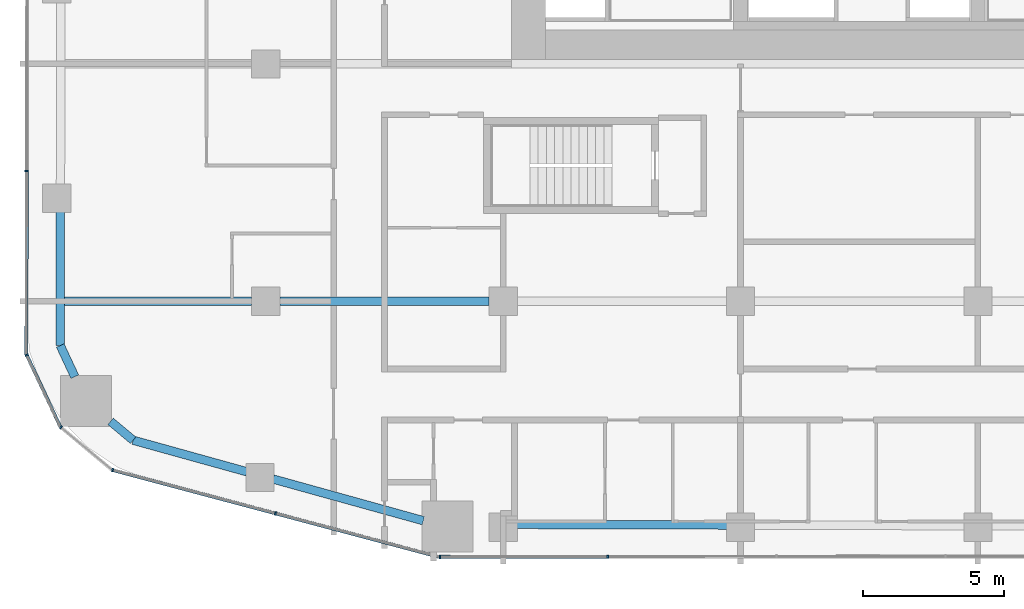
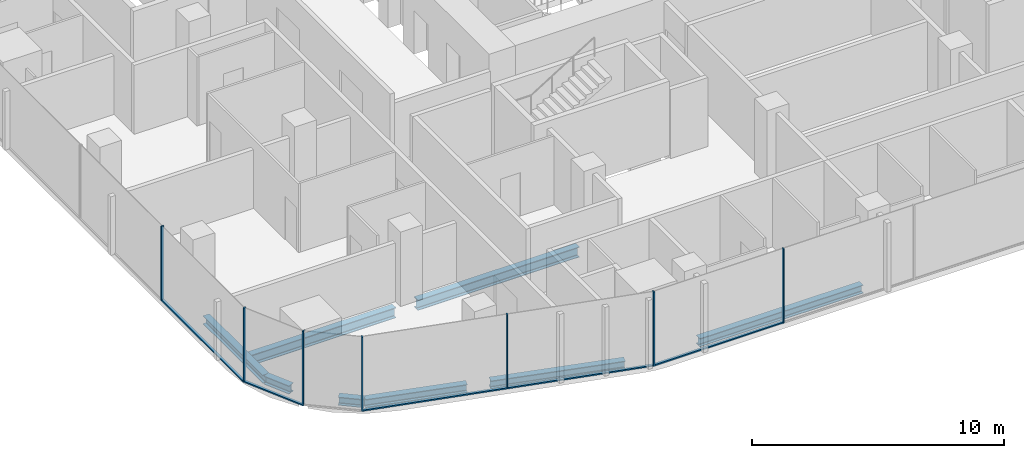
# One storey, part 2 of 25: 12 members, 8 beams, 5 elements without a shape of their own.
"""IFC4 building model written with IfcOpenShell, lengths in metres."""

from ifc_helpers import new_model, si_unit, direction, frame, origin, origin_2d, place, context, subcontext, project, spatial, rectangle, i_section, extrude, material, layer, layer_set, material_profile, profile_set, type_object, element, aggregate, save


model = new_model("IFC4")

# Units and contexts
model_context = context("Model", 3, precision=1e-05, world=origin(), true_north=direction((0.0, 1.0)))
body_context = subcontext(model_context, "Body", "Model", "MODEL_VIEW")
ifc_project = project(units=[si_unit("LENGTHUNIT", "METRE"), si_unit("AREAUNIT", "SQUARE_METRE"), si_unit("VOLUMEUNIT", "CUBIC_METRE"), si_unit("PLANEANGLEUNIT", "RADIAN"), si_unit("MASSUNIT", "GRAM", prefix="KILO")], contexts=[model_context])

# Site, building, storey
site_placement = place(None, origin())
site = spatial("IfcSite", under=ifc_project, at=site_placement, CompositionType="ELEMENT")
building_placement = place(site_placement, origin())
building = spatial("IfcBuilding", under=site, at=building_placement, Name="Marenta Gate Hotel Tower", CompositionType="ELEMENT")
storey_placement = place(building_placement, frame((0.0, 0.0, 50.89990234375)))
storey = spatial("IfcBuildingStorey", under=building, at=storey_placement, Name="L10", CompositionType="ELEMENT", Elevation=50.89990234375)

# Beams
ifc_material_1 = material(Name="Steel S355", Category="steel")
ifc_material_profile_1 = material_profile(ifc_material_1, i_section(OverallWidth=0.300048828125, OverallDepth=0.39990234375, WebThickness=0.013427734375, FlangeThickness=0.02392578125, FilletRadius=0.027099609375, at=origin_2d()), Name="HEB 400")
ifc_profile_set_1 = profile_set([ifc_material_profile_1], Name="Steel S355")
beam_type_1 = type_object("IfcBeamType", Name="Edge beam HEB 400", PredefinedType="SPANDREL", material=ifc_profile_set_1)
beam_1_placement = place(storey_placement, frame((-15.427734375, -16.166748046875, -0.4599609375), z_axis=(-0.963623684238, 0.267262782998, 0.0), x_axis=(-0.267262782998, -0.963623684238, 0.0)))
element("IfcBeam", 1, at=beam_1_placement, inside=storey, type_object=beam_type_1, Name="L10-EB-1", PredefinedType="SPANDREL", context=body_context, shape_type="SweptSolid", body=[
    extrude(i_section(OverallWidth=0.300048828125, OverallDepth=0.39990234375, WebThickness=0.013427734375, FlangeThickness=0.02392578125, FilletRadius=0.027099609375, at=origin_2d()), origin(), (0.0, 0.0, 1.0), 5.518310546875),
])
beam_2_placement = place(storey_placement, frame((-21.668212890625, -14.43603515625, -0.4599609375), z_axis=(-0.963617403201, 0.267285428426, 0.0), x_axis=(-0.267285428426, -0.963617403201, 0.0)))
element("IfcBeam", 2, at=beam_2_placement, inside=storey, type_object=beam_type_1, Name="L10-EB-2", PredefinedType="SPANDREL", context=body_context, shape_type="SweptSolid", body=[
    extrude(i_section(OverallWidth=0.300048828125, OverallDepth=0.39990234375, WebThickness=0.013427734375, FlangeThickness=0.02392578125, FilletRadius=0.027099609375, at=origin_2d()), origin(), (0.0, 0.0, 1.0), 4.1806640625),
])
beam_3_placement = place(storey_placement, frame((-25.69677734375, -13.318603515625, -0.4599609375), z_axis=(-0.767179911534, 0.641431978731, 0.0), x_axis=(-0.641431978731, -0.767179911534, 0.0)))
element("IfcBeam", 3, at=beam_3_placement, inside=storey, type_object=beam_type_1, Name="L10-EB-3", PredefinedType="SPANDREL", context=body_context, shape_type="SweptSolid", body=[
    extrude(i_section(OverallWidth=0.300048828125, OverallDepth=0.39990234375, WebThickness=0.013427734375, FlangeThickness=0.02392578125, FilletRadius=0.027099609375, at=origin_2d()), origin(), (0.0, 0.0, 1.0), 1.038818359375),
])
beam_4_placement = place(storey_placement, frame((-27.76025390625, -11.0693359375, -0.4599609375), z_axis=(-0.423291965192, 0.905993329006, 0.0), x_axis=(-0.905993329006, -0.423291965192, 0.0)))
element("IfcBeam", 4, at=beam_4_placement, inside=storey, type_object=beam_type_1, Name="L10-EB-4", PredefinedType="SPANDREL", context=body_context, shape_type="SweptSolid", body=[
    extrude(i_section(OverallWidth=0.300048828125, OverallDepth=0.39990234375, WebThickness=0.013427734375, FlangeThickness=0.02392578125, FilletRadius=0.027099609375, at=origin_2d()), origin(), (0.0, 0.0, 1.0), 1.21630859375),
])
beam_5_placement = place(storey_placement, frame((-28.275146484375, -9.96728515625, -0.4599609375), z_axis=(0.001386177947, 0.999999039255, 0.0), x_axis=(-0.999999039255, 0.001386177947, 0.0)))
element("IfcBeam", 5, at=beam_5_placement, inside=storey, type_object=beam_type_1, Name="L10-EB-5", PredefinedType="SPANDREL", context=body_context, shape_type="SweptSolid", body=[
    extrude(i_section(OverallWidth=0.300048828125, OverallDepth=0.39990234375, WebThickness=0.013427734375, FlangeThickness=0.02392578125, FilletRadius=0.027099609375, at=origin_2d()), origin(), (0.0, 0.0, 1.0), 4.75537109375),
])
beam_6_placement = place(storey_placement, frame((-4.659912109375, -16.31982421875, -0.4599609375), z_axis=(-0.999996151562, 0.002774321851, 0.0), x_axis=(-0.002774321851, -0.999996151562, 0.0)))
element("IfcBeam", 6, at=beam_6_placement, inside=storey, type_object=beam_type_1, Name="L10-EB-34", PredefinedType="SPANDREL", context=body_context, shape_type="SweptSolid", body=[
    extrude(i_section(OverallWidth=0.300048828125, OverallDepth=0.39990234375, WebThickness=0.013427734375, FlangeThickness=0.02392578125, FilletRadius=0.027099609375, at=origin_2d()), origin(), (0.0, 0.0, 1.0), 7.47998046875),
])
ifc_material_2 = material(Name="Steel S355", Category="steel")
ifc_material_profile_2 = material_profile(ifc_material_2, i_section(OverallWidth=0.300048828125, OverallDepth=0.5, WebThickness=0.014404296875, FlangeThickness=0.028076171875, FilletRadius=0.027099609375, at=origin_2d()), Name="HEB 500")
ifc_profile_set_2 = profile_set([ifc_material_profile_2], Name="Steel S355")
beam_type_2 = type_object("IfcBeamType", Name="Girder HEB 500", PredefinedType="BEAM", material=ifc_profile_set_2)
beam_7_placement = place(storey_placement, frame((-28.123046875, -8.39990234375, -0.510009765625), z_axis=(1.0, 0.0, 0.0), x_axis=(0.0, 1.0, 0.0)))
element("IfcBeam", 7, at=beam_7_placement, inside=storey, type_object=beam_type_2, Name="L10-GD-1", PredefinedType="BEAM", context=body_context, shape_type="SweptSolid", body=[
    extrude(i_section(OverallWidth=0.300048828125, OverallDepth=0.5, WebThickness=0.014404296875, FlangeThickness=0.028076171875, FilletRadius=0.027099609375, at=origin_2d()), origin(), (0.0, 0.0, 1.0), 6.623046875),
])
beam_8_placement = place(storey_placement, frame((-20.5, -8.39990234375, -0.510009765625), z_axis=(1.0, 0.0, 0.0), x_axis=(0.0, 1.0, 0.0)))
element("IfcBeam", 8, at=beam_8_placement, inside=storey, type_object=beam_type_2, Name="L10-GD-2", PredefinedType="BEAM", context=body_context, shape_type="SweptSolid", body=[
    extrude(i_section(OverallWidth=0.300048828125, OverallDepth=0.5, WebThickness=0.014404296875, FlangeThickness=0.028076171875, FilletRadius=0.027099609375, at=origin_2d()), origin(), (0.0, 0.0, 1.0), 7.39990234375),
])

# Curtain wall, member
ifc_material_3 = material(Name="Tinted insulated glass in bronze anodised frame", Category="glass")
ifc_layer = layer(ifc_material_3, 0.1201171875)
ifc_layer_set = layer_set([ifc_layer], Name="Tinted insulated glass in bronze anodised frame")
curtain_wall_type = type_object("IfcCurtainWallType", Name="Tower unitised curtain wall CW1", PredefinedType="NOTDEFINED", material=ifc_layer_set)
curtain_wall_1_placement = place(storey_placement, origin())
curtain_wall_1 = element("IfcCurtainWall", 9, at=curtain_wall_1_placement, inside=storey, type_object=curtain_wall_type, Name="CW1 run G03", PredefinedType="NOTDEFINED")
ifc_material_4 = material(Name="Bronze anodised aluminium", Category="aluminium")
ifc_material_profile_3 = material_profile(ifc_material_4, rectangle(XDim=0.1201171875, YDim=0.06005859375, at=origin_2d()), Name="Mullion CW1 60x120 bronze anodised aluminium")
ifc_profile_set_3 = profile_set([ifc_material_profile_3], Name="Bronze anodised aluminium")
member_type_1 = type_object("IfcMemberType", Name="Mullion CW1 60x120 bronze anodised aluminium", PredefinedType="MULLION", material=ifc_profile_set_3)
member_1_placement = place(storey_placement, frame((-29.463134765625, -3.78564453125, 0.0), z_axis=(0.0, 0.0, 1.0), x_axis=(0.99999877316, -0.00156642217, 0.0)))
member_1 = element("IfcMember", 10, at=member_1_placement, type_object=member_type_1, Name="CW1 mullion 6", PredefinedType="MULLION", context=body_context, shape_type="SweptSolid", body=[
    extrude(rectangle(XDim=0.1201171875, YDim=0.06005859375, at=origin_2d()), origin(), (0.0, 0.0, 1.0), 3.60009765625),
])

curtain_wall_2_placement = place(storey_placement, origin())
curtain_wall_2 = element("IfcCurtainWall", 11, at=curtain_wall_2_placement, inside=storey, type_object=curtain_wall_type, Name="CW1 run G04", PredefinedType="NOTDEFINED")
member_2_placement = place(storey_placement, frame((-29.460693359375, -10.30322265625, 0.0), z_axis=(0.0, 0.0, 1.0), x_axis=(0.905970129167, 0.423341617441, 0.0)))
member_2 = element("IfcMember", 12, at=member_2_placement, type_object=member_type_1, Name="CW1 mullion 1", PredefinedType="MULLION", context=body_context, shape_type="SweptSolid", body=[
    extrude(rectangle(XDim=0.1201171875, YDim=0.06005859375, at=origin_2d()), origin(), (0.0, 0.0, 1.0), 3.60009765625),
])

curtain_wall_3_placement = place(storey_placement, origin())
curtain_wall_3 = element("IfcCurtainWall", 13, at=curtain_wall_3_placement, inside=storey, type_object=curtain_wall_type, Name="CW1 run G05", PredefinedType="NOTDEFINED")
member_3_placement = place(storey_placement, frame((-28.25146484375, -12.86083984375, 0.0), z_axis=(0.0, 0.0, 1.0), x_axis=(0.641511984407, 0.767113012445, 0.0)))
member_3 = element("IfcMember", 14, at=member_3_placement, type_object=member_type_1, Name="CW1 mullion 1", PredefinedType="MULLION", context=body_context, shape_type="SweptSolid", body=[
    extrude(rectangle(XDim=0.1201171875, YDim=0.06005859375, at=origin_2d()), origin(), (0.0, 0.0, 1.0), 3.60009765625),
])
aggregate(curtain_wall_3, [member_3])

# Curtain wall, members
curtain_wall_4_placement = place(storey_placement, origin())
curtain_wall_4 = element("IfcCurtainWall", 15, at=curtain_wall_4_placement, inside=storey, type_object=curtain_wall_type, Name="CW1 run G06", PredefinedType="NOTDEFINED")
member_4_placement = place(storey_placement, frame((-26.42236328125, -14.3740234375, 0.0), z_axis=(0.0, 0.0, 1.0), x_axis=(0.257141675823, 0.966373715782, 0.0)))
member_4 = element("IfcMember", 16, at=member_4_placement, type_object=member_type_1, Name="CW1 mullion 1", PredefinedType="MULLION", context=body_context, shape_type="SweptSolid", body=[
    extrude(rectangle(XDim=0.1201171875, YDim=0.06005859375, at=origin_2d()), origin(), (0.0, 0.0, 1.0), 3.60009765625),
])
member_5_placement = place(storey_placement, frame((-20.660888671875, -15.906982421875, 0.0), z_axis=(0.0, 0.0, 1.0), x_axis=(0.257141675823, 0.966373715782, 0.0)))
member_5 = element("IfcMember", 17, at=member_5_placement, type_object=member_type_1, Name="CW1 mullion 2", PredefinedType="MULLION", context=body_context, shape_type="SweptSolid", body=[
    extrude(rectangle(XDim=0.1201171875, YDim=0.06005859375, at=origin_2d()), origin(), (0.0, 0.0, 1.0), 3.60009765625),
])

curtain_wall_5_placement = place(storey_placement, origin())
curtain_wall_5 = element("IfcCurtainWall", 18, at=curtain_wall_5_placement, inside=storey, type_object=curtain_wall_type, Name="CW1 run G07", PredefinedType="NOTDEFINED")
member_6_placement = place(storey_placement, frame((-14.840576171875, -17.44775390625, 0.0), z_axis=(0.0, 0.0, 1.0), x_axis=(-0.001161921639, 0.999999324969, 0.0)))
member_6 = element("IfcMember", 19, at=member_6_placement, type_object=member_type_1, Name="CW1 mullion 1", PredefinedType="MULLION", context=body_context, shape_type="SweptSolid", body=[
    extrude(rectangle(XDim=0.1201171875, YDim=0.06005859375, at=origin_2d()), origin(), (0.0, 0.0, 1.0), 3.60009765625),
])
member_7_placement = place(storey_placement, frame((-8.897705078125, -17.44091796875, 0.0), z_axis=(0.0, 0.0, 1.0), x_axis=(-0.001161921639, 0.999999324969, 0.0)))
member_7 = element("IfcMember", 20, at=member_7_placement, type_object=member_type_1, Name="CW1 mullion 2", PredefinedType="MULLION", context=body_context, shape_type="SweptSolid", body=[
    extrude(rectangle(XDim=0.1201171875, YDim=0.06005859375, at=origin_2d()), origin(), (0.0, 0.0, 1.0), 3.60009765625),
])

# Member
ifc_material_5 = material(Name="Bronze anodised aluminium", Category="aluminium")
ifc_material_profile_4 = material_profile(ifc_material_5, rectangle(XDim=0.1201171875, YDim=0.06005859375, at=origin_2d()), Name="Transom CW1 60x120 bronze anodised aluminium")
ifc_profile_set_4 = profile_set([ifc_material_profile_4], Name="Bronze anodised aluminium")
member_type_2 = type_object("IfcMemberType", Name="Transom CW1 60x120 bronze anodised aluminium", PredefinedType="USERDEFINED", material=ifc_profile_set_4)
member_8_placement = place(storey_placement, frame((-29.463134765625, -3.815673828125, 0.030029296875), z_axis=(-0.001587239601, -0.999998740334, 0.0), x_axis=(0.999998740334, -0.001587239601, 0.0)))
member_8 = element("IfcMember", 21, at=member_8_placement, type_object=member_type_2, Name="CW1 transom 6.1", ObjectType="TRANSOM", PredefinedType="USERDEFINED", context=body_context, shape_type="SweptSolid", body=[
    extrude(rectangle(XDim=0.1201171875, YDim=0.06005859375, at=origin_2d()), origin(), (0.0, 0.0, 1.0), 6.460205078125),
])

aggregate(curtain_wall_1, [member_1, member_8])

member_9_placement = place(storey_placement, frame((-29.447998046875, -10.330322265625, 0.030029296875), z_axis=(0.423348255175, -0.905967027457, 0.0), x_axis=(0.905967027457, 0.423348255175, 0.0)))
member_9 = element("IfcMember", 22, at=member_9_placement, type_object=member_type_2, Name="CW1 transom 1.1", ObjectType="TRANSOM", PredefinedType="USERDEFINED", context=body_context, shape_type="SweptSolid", body=[
    extrude(rectangle(XDim=0.1201171875, YDim=0.06005859375, at=origin_2d()), origin(), (0.0, 0.0, 1.0), 2.772216796875),
])

aggregate(curtain_wall_2, [member_2, member_9])

member_10_placement = place(storey_placement, frame((-26.393310546875, -14.3818359375, 0.030029296875), z_axis=(0.966374861095, -0.257137371541, 0.0), x_axis=(0.257137371541, 0.966374861095, 0.0)))
member_10 = element("IfcMember", 23, at=member_10_placement, type_object=member_type_2, Name="CW1 transom 1.1", ObjectType="TRANSOM", PredefinedType="USERDEFINED", context=body_context, shape_type="SweptSolid", body=[
    extrude(rectangle(XDim=0.1201171875, YDim=0.06005859375, at=origin_2d()), origin(), (0.0, 0.0, 1.0), 5.90185546875),
])

member_11_placement = place(storey_placement, frame((-20.632080078125, -15.914794921875, 0.030029296875), z_axis=(0.966378199773, -0.25712482378, 0.0), x_axis=(0.25712482378, 0.966378199773, 0.0)))
member_11 = element("IfcMember", 24, at=member_11_placement, type_object=member_type_2, Name="CW1 transom 2.1", ObjectType="TRANSOM", PredefinedType="USERDEFINED", context=body_context, shape_type="SweptSolid", body=[
    extrude(rectangle(XDim=0.1201171875, YDim=0.06005859375, at=origin_2d()), origin(), (0.0, 0.0, 1.0), 5.9619140625),
])

aggregate(curtain_wall_4, [member_4, member_5, member_10, member_11])

member_12_placement = place(storey_placement, frame((-14.810546875, -17.44775390625, 0.030029296875), z_axis=(0.999999324857, 0.001162017808, 0.0), x_axis=(-0.001162017808, 0.999999324857, 0.0)))
member_12 = element("IfcMember", 25, at=member_12_placement, type_object=member_type_2, Name="CW1 transom 1.1", ObjectType="TRANSOM", PredefinedType="USERDEFINED", context=body_context, shape_type="SweptSolid", body=[
    extrude(rectangle(XDim=0.1201171875, YDim=0.06005859375, at=origin_2d()), origin(), (0.0, 0.0, 1.0), 5.8828125),
])

aggregate(curtain_wall_5, [member_6, member_7, member_12])

save(model, "model.ifc")
